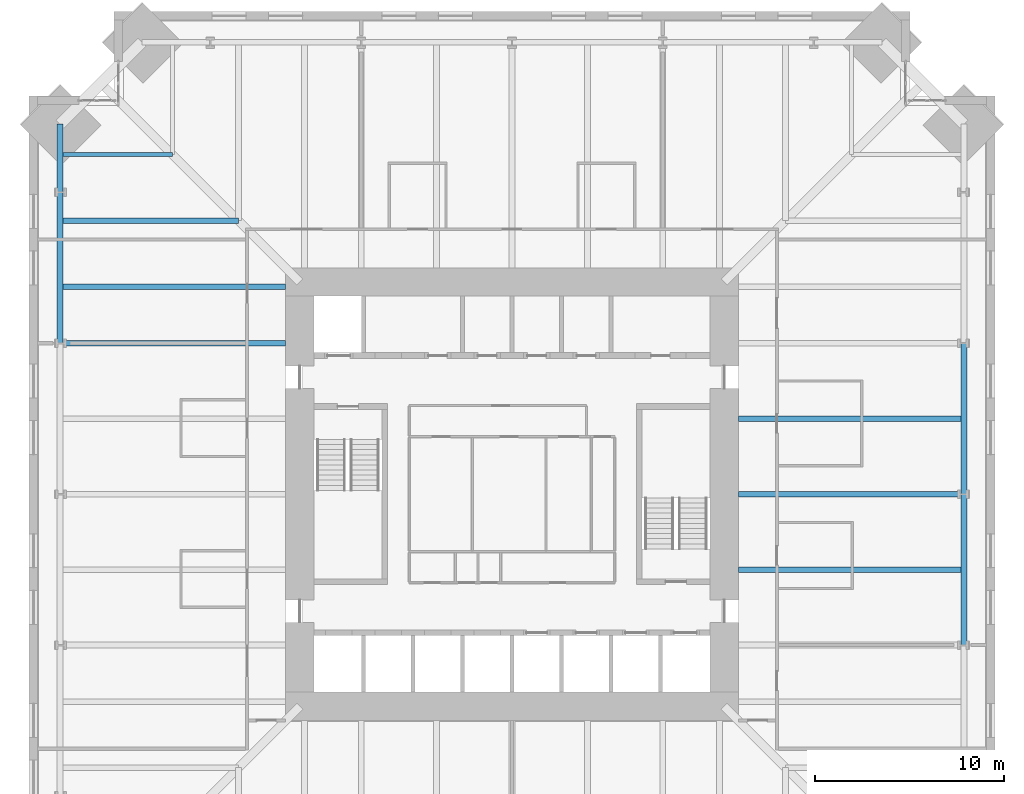
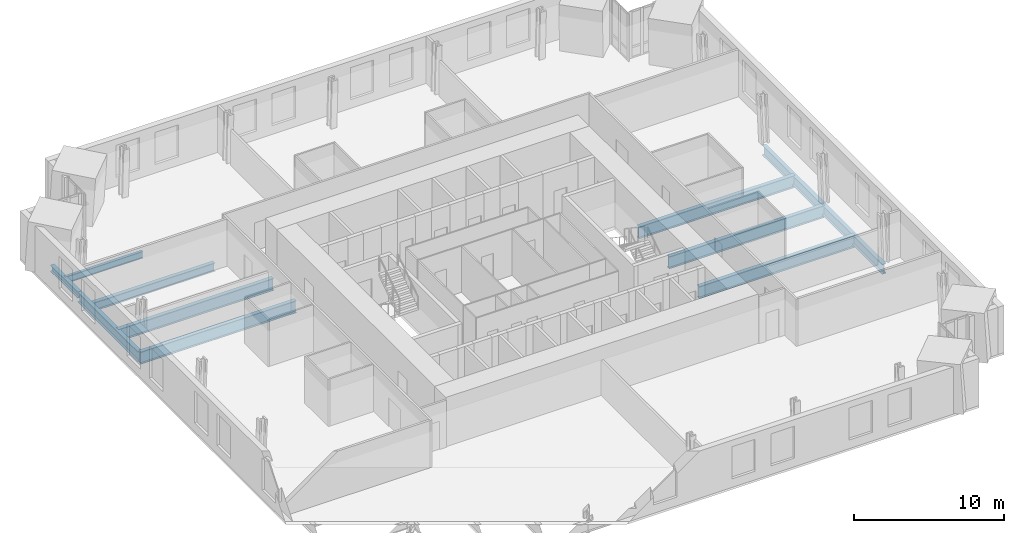
# One storey, part 5 of 18: 11 beams.
"""IFC4 building model written with IfcOpenShell, lengths in metres."""

from ifc_helpers import new_model, si_unit, direction, frame, origin, origin_2d, place, context, subcontext, project, spatial, i_section, extrude, material, material_profile, profile_set, type_object, element, save


model = new_model("IFC4")

# Units and contexts
model_context = context("Model", 3, precision=1e-05, world=origin(), true_north=direction((0.0, 1.0)))
body_context = subcontext(model_context, "Body", "Model", "MODEL_VIEW")
ifc_project = project(units=[si_unit("LENGTHUNIT", "METRE"), si_unit("AREAUNIT", "SQUARE_METRE"), si_unit("VOLUMEUNIT", "CUBIC_METRE"), si_unit("PLANEANGLEUNIT", "RADIAN"), si_unit("MASSUNIT", "GRAM", prefix="KILO")], contexts=[model_context])

# Site, building, storey
site_placement = place(None, origin())
site = spatial("IfcSite", under=ifc_project, at=site_placement, CompositionType="ELEMENT")
building_placement = place(site_placement, origin())
building = spatial("IfcBuilding", under=site, at=building_placement, Name="Peilmerk Tower", CompositionType="ELEMENT")
storey_placement = place(building_placement, frame((0.0, 0.0, 171.800048828125)))
storey = spatial("IfcBuildingStorey", under=building, at=storey_placement, Name="L36", CompositionType="ELEMENT", Elevation=171.800048828125)

# Beams
ifc_material = material(Name="Steel S355", Category="steel")
ifc_material_profile_1 = material_profile(ifc_material, i_section(OverallWidth=0.2099609375, OverallDepth=0.550048828125, WebThickness=0.010986328125, FlangeThickness=0.01708984375, at=origin_2d()), Name="IPE 550")
ifc_profile_set_1 = profile_set([ifc_material_profile_1], Name="Steel S355")
beam_type_1 = type_object("IfcBeamType", Name="B12 IPE 550 floor beam", PredefinedType="BEAM", material=ifc_profile_set_1)
beam_1_placement = place(storey_placement, frame((-18.0, 18.0, -0.445068359375), z_axis=(-1.0, 0.0, 0.0), x_axis=(0.0, -1.0, 0.0)))
element("IfcBeam", 1, at=beam_1_placement, inside=storey, type_object=beam_type_1, Name="Floor beam L36", PredefinedType="BEAM", context=body_context, shape_type="SweptSolid", body=[
    extrude(i_section(OverallWidth=0.2099609375, OverallDepth=0.550048828125, WebThickness=0.010986328125, FlangeThickness=0.01708984375, at=origin_2d()), origin(), (0.0, 0.0, 1.0), 5.96923828125),
])
ifc_material_profile_2 = material_profile(ifc_material, i_section(OverallWidth=0.300048828125, OverallDepth=0.989990234375, WebThickness=0.0166015625, FlangeThickness=0.031005859375, at=origin_2d()), Name="HEA 1000")
ifc_profile_set_2 = profile_set([ifc_material_profile_2], Name="Steel S355")
beam_type_2 = type_object("IfcBeamType", Name="B14 HEA 1000 floor girder", PredefinedType="BEAM", material=ifc_profile_set_2)
for number, where, z_axis, x_axis, name in (
    (2, (12.0, -4.0, -0.6650390625), (1.0, 0.0, 0.0), (0.0, 1.0, 0.0), "Floor beam L36"),
    (3, (12.0, 0.0, -0.6650390625), (1.0, 0.0, 0.0), (0.0, 1.0, 0.0), "Floor beam L36"),
    (4, (12.0, 4.0, -0.6650390625), (1.0, 0.0, 0.0), (0.0, 1.0, 0.0), "Floor beam L36"),
    (5, (-12.0, 11.0, -0.6650390625), (-1.0, 0.0, 0.0), (0.0, -1.0, 0.0), "Floor beam L36"),
    (6, (-12.0, 8.0, -0.6650390625), (-1.0, 0.0, 0.0), (0.0, -1.0, 0.0), "Floor beam L36"),
):
    element("IfcBeam", number, at=place(storey_placement, frame(where, z_axis=z_axis, x_axis=x_axis)), inside=storey, type_object=beam_type_2, Name=name, PredefinedType="BEAM", context=body_context, shape_type="SweptSolid", body=[
        extrude(i_section(OverallWidth=0.300048828125, OverallDepth=0.989990234375, WebThickness=0.0166015625, FlangeThickness=0.031005859375, at=origin_2d()), origin(), (0.0, 0.0, 1.0), 11.96923828125),
    ])
ifc_material_profile_3 = material_profile(ifc_material, i_section(OverallWidth=0.302978515625, OverallDepth=0.81396484375, WebThickness=0.02099609375, FlangeThickness=0.0400390625, at=origin_2d()), Name="HEM 800")
ifc_profile_set_3 = profile_set([ifc_material_profile_3], Name="Steel S355")
beam_type_3 = type_object("IfcBeamType", Name="B15 HEM 800 edge beam", PredefinedType="SPANDREL", material=ifc_profile_set_3)
for number, where, z_axis, x_axis, name in (
    (7, (23.96923828125, -8.0, -0.5771484375), (0.0, 1.0, 0.0), (-1.0, 0.0, 0.0), "Edge beam L36"),
    (8, (23.96923828125, 0.0, -0.5771484375), (0.0, 1.0, 0.0), (-1.0, 0.0, 0.0), "Edge beam L36"),
    (9, (-23.96923828125, 16.0, -0.5771484375), (0.0, -1.0, 0.0), (1.0, 0.0, 0.0), "Edge beam L36"),
):
    element("IfcBeam", number, at=place(storey_placement, frame(where, z_axis=z_axis, x_axis=x_axis)), inside=storey, type_object=beam_type_3, Name=name, PredefinedType="SPANDREL", context=body_context, shape_type="SweptSolid", body=[
        extrude(i_section(OverallWidth=0.302978515625, OverallDepth=0.81396484375, WebThickness=0.02099609375, FlangeThickness=0.0400390625, at=origin_2d()), origin(), (0.0, 0.0, 1.0), 8.0),
    ])
ifc_material_profile_4 = material_profile(ifc_material, i_section(OverallWidth=0.300048828125, OverallDepth=0.68994140625, WebThickness=0.014404296875, FlangeThickness=0.027099609375, at=origin_2d()), Name="HEA 700")
ifc_profile_set_4 = profile_set([ifc_material_profile_4], Name="Steel S355")
beam_type_4 = type_object("IfcBeamType", Name="B16 HEA 700 floor beam", PredefinedType="BEAM", material=ifc_profile_set_4)
beam_2_placement = place(storey_placement, frame((-14.5, 14.5, -0.51513671875), z_axis=(-1.0, 0.0, 0.0), x_axis=(0.0, -1.0, 0.0)))
element("IfcBeam", 10, at=beam_2_placement, inside=storey, type_object=beam_type_4, Name="Floor beam L36", PredefinedType="BEAM", context=body_context, shape_type="SweptSolid", body=[
    extrude(i_section(OverallWidth=0.300048828125, OverallDepth=0.68994140625, WebThickness=0.014404296875, FlangeThickness=0.027099609375, at=origin_2d()), origin(), (0.0, 0.0, 1.0), 9.46923828125),
])
ifc_material_profile_5 = material_profile(ifc_material, i_section(OverallWidth=0.305908203125, OverallDepth=0.52392578125, WebThickness=0.02099609375, FlangeThickness=0.0400390625, at=origin_2d()), Name="HEM 500")
ifc_profile_set_5 = profile_set([ifc_material_profile_5], Name="Steel S355")
beam_type_5 = type_object("IfcBeamType", Name="B33 HEM 500 edge beam", PredefinedType="SPANDREL", material=ifc_profile_set_5)
beam_3_placement = place(storey_placement, frame((-23.96923828125, 19.619384765625, -0.43212890625), z_axis=(0.0, -1.0, 0.0), x_axis=(1.0, 0.0, 0.0)))
element("IfcBeam", 11, at=beam_3_placement, inside=storey, type_object=beam_type_5, Name="Edge beam L36", PredefinedType="SPANDREL", context=body_context, shape_type="SweptSolid", body=[
    extrude(i_section(OverallWidth=0.305908203125, OverallDepth=0.52392578125, WebThickness=0.02099609375, FlangeThickness=0.0400390625, at=origin_2d()), origin(), (0.0, 0.0, 1.0), 3.619384765625),
])

save(model, "model.ifc")
